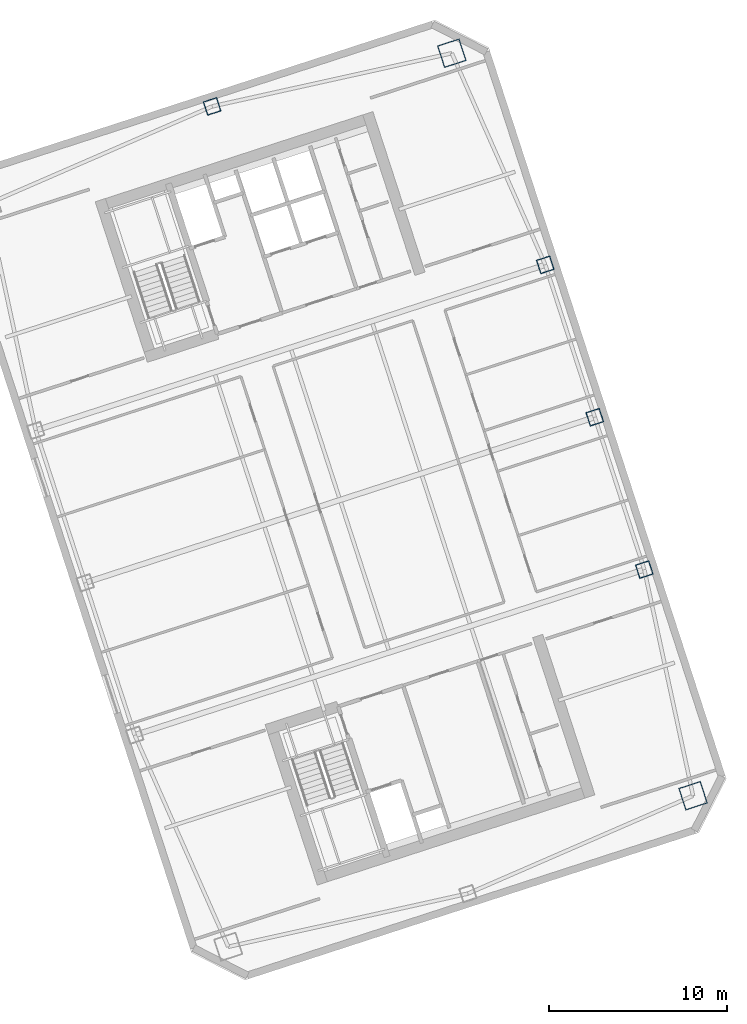
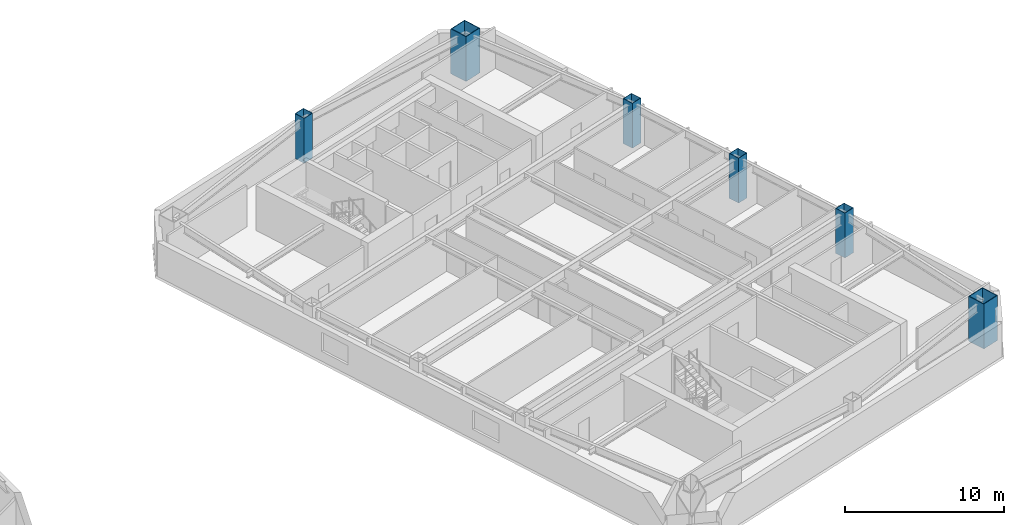
# One storey, part 2 of 14: 6 columns.
"""IFC4 building model written with IfcOpenShell, lengths in metres."""

from ifc_helpers import new_model, si_unit, direction, frame, origin, origin_2d, place, context, subcontext, project, spatial, hollow_rectangle, extrude, material, material_profile, profile_set, type_object, element, save


model = new_model("IFC4")

# Units and contexts
model_context = context("Model", 3, precision=1e-05, world=origin(), true_north=direction((0.0, 1.0)))
body_context = subcontext(model_context, "Body", "Model", "MODEL_VIEW")
ifc_project = project(units=[si_unit("LENGTHUNIT", "METRE"), si_unit("AREAUNIT", "SQUARE_METRE"), si_unit("VOLUMEUNIT", "CUBIC_METRE"), si_unit("PLANEANGLEUNIT", "RADIAN"), si_unit("MASSUNIT", "GRAM", prefix="KILO")], contexts=[model_context])

# Site, building, storey
site_placement = place(None, origin())
site = spatial("IfcSite", under=ifc_project, at=site_placement, CompositionType="ELEMENT")
building_placement = place(site_placement, origin())
building = spatial("IfcBuilding", under=site, at=building_placement, Name="Qiaolan Cultural Towers", CompositionType="ELEMENT")
storey_placement = place(building_placement, frame((0.0, 0.0, 159.85009765625)))
storey = spatial("IfcBuildingStorey", under=building, at=storey_placement, Name="L42", CompositionType="ELEMENT", Elevation=159.85009765625)

# Columns
ifc_material_1 = material(Name="Steel Q390GJB", Category="steel")
ifc_material_profile_1 = material_profile(ifc_material_1, hollow_rectangle(XDim=1.300048828125, YDim=1.300048828125, WallThickness=0.044921875, at=origin_2d()), Name="BOX1300x1300x45")
ifc_profile_set_1 = profile_set([ifc_material_profile_1], Name="Steel Q390GJB")
column_type_1 = type_object("IfcColumnType", Name="COL-BOX1300x1300x45", PredefinedType="COLUMN", material=ifc_profile_set_1)
for number, where, z_axis, x_axis, name in (
    (1, (109.834716796875, 17.38623046875, 0.0), (0.0, 0.0, 1.0), (0.951056516295, 0.309016994375, 0.0), "L42 T2 Perimeter Column MC-SE"),
    (2, (96.28125, 59.099365234375, 0.0), (0.0, 0.0, 1.0), (0.951056516295, 0.309016994375, 0.0), "L42 T2 Perimeter Column MC-NE"),
):
    element("IfcColumn", number, at=place(storey_placement, frame(where, z_axis=z_axis, x_axis=x_axis)), inside=storey, type_object=column_type_1, Name=name, PredefinedType="COLUMN", context=body_context, shape_type="SweptSolid", body=[
        extrude(hollow_rectangle(XDim=1.300048828125, YDim=1.300048828125, WallThickness=0.044921875, at=origin_2d()), origin(), (0.0, 0.0, 1.0), 3.450927734375),
    ])
ifc_material_2 = material(Name="Steel Q355B", Category="steel")
ifc_material_profile_2 = material_profile(ifc_material_2, hollow_rectangle(XDim=0.800048828125, YDim=0.800048828125, WallThickness=0.028076171875, at=origin_2d()), Name="BOX800x800x28")
ifc_profile_set_2 = profile_set([ifc_material_profile_2], Name="Steel Q355B")
column_type_2 = type_object("IfcColumnType", Name="COL-BOX800x800x28", PredefinedType="COLUMN", material=ifc_profile_set_2)
for number, where, z_axis, x_axis, name in (
    (3, (107.094482421875, 30.09130859375, 0.0), (0.0, 0.0, 1.0), (0.951056516295, 0.309016994375, 0.0), "L42 T2 Perimeter Column PC-E1"),
    (4, (104.3134765625, 38.650634765625, 0.0), (0.0, 0.0, 1.0), (0.951056516295, 0.309016994375, 0.0), "L42 T2 Perimeter Column PC-E2"),
    (5, (101.5322265625, 47.210205078125, 0.0), (0.0, 0.0, 1.0), (0.951056516295, 0.309016994375, 0.0), "L42 T2 Perimeter Column PC-E3"),
    (6, (82.8154296875, 56.112060546875, 0.0), (0.0, 0.0, 1.0), (0.951056516295, 0.309016994375, 0.0), "L42 T2 Perimeter Column PC-N0"),
):
    element("IfcColumn", number, at=place(storey_placement, frame(where, z_axis=z_axis, x_axis=x_axis)), inside=storey, type_object=column_type_2, Name=name, PredefinedType="COLUMN", context=body_context, shape_type="SweptSolid", body=[
        extrude(hollow_rectangle(XDim=0.800048828125, YDim=0.800048828125, WallThickness=0.028076171875, at=origin_2d()), origin(), (0.0, 0.0, 1.0), 3.450927734375),
    ])

save(model, "model.ifc")
